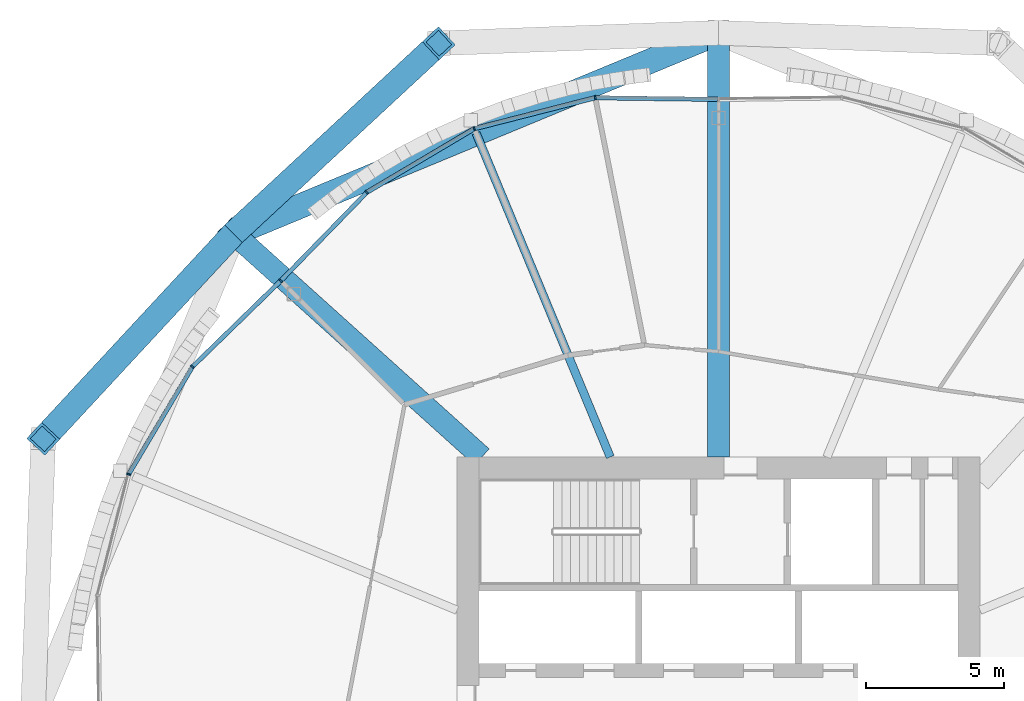
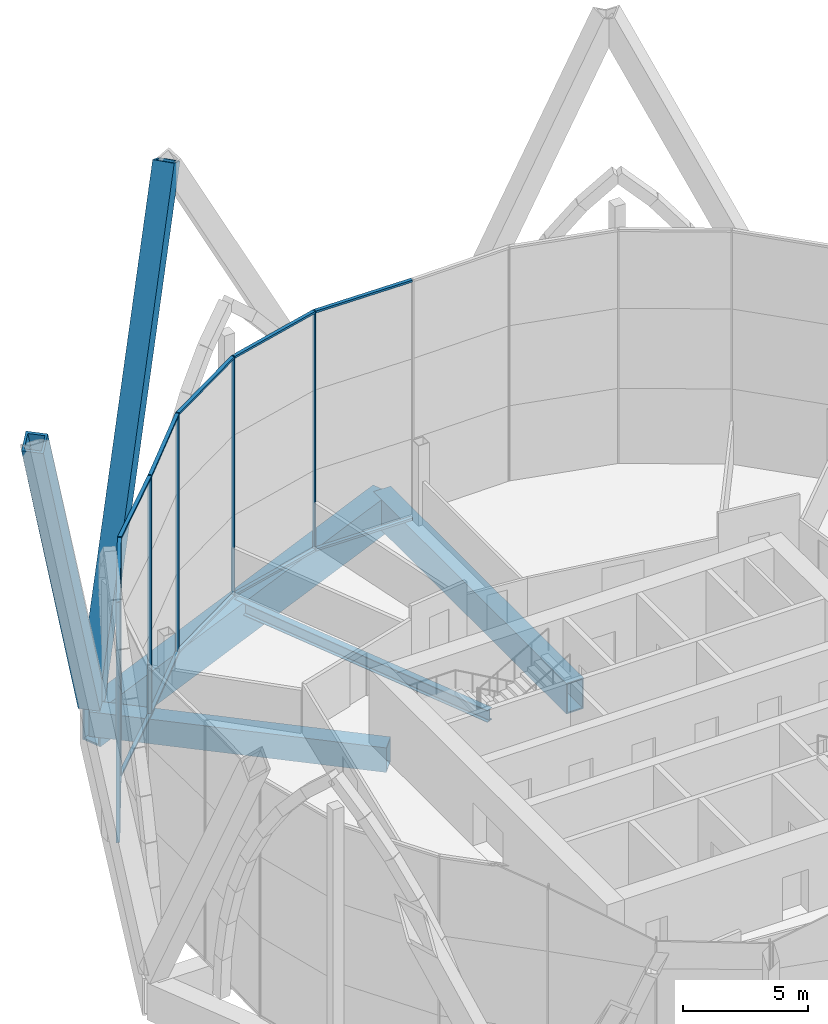
# One storey, part 10 of 37: 20 members, 4 beams, 2 elements without a shape of their own.
"""IFC4 building model written with IfcOpenShell, lengths in metres."""

from ifc_helpers import new_model, si_unit, direction, frame, origin, origin_2d, place, context, subcontext, project, spatial, rectangle, hollow_rectangle, i_section, extrude, material, material_profile, profile_set, type_object, element, aggregate, save


model = new_model("IFC4")

# Units and contexts
model_context = context("Model", 3, precision=1e-05, world=origin(), true_north=direction((0.0, 1.0)))
body_context = subcontext(model_context, "Body", "Model", "MODEL_VIEW")
ifc_project = project(units=[si_unit("LENGTHUNIT", "METRE"), si_unit("AREAUNIT", "SQUARE_METRE"), si_unit("VOLUMEUNIT", "CUBIC_METRE"), si_unit("PLANEANGLEUNIT", "RADIAN"), si_unit("MASSUNIT", "GRAM", prefix="KILO")], contexts=[model_context])

# Site, building, storey
site_placement = place(None, origin())
site = spatial("IfcSite", under=ifc_project, at=site_placement, CompositionType="ELEMENT")
building_placement = place(site_placement, origin())
building = spatial("IfcBuilding", under=site, at=building_placement, Name="Ogive Gate Towers", CompositionType="ELEMENT")
storey_placement = place(building_placement, frame((0.0, 0.0, 32.39990234375)))
storey = spatial("IfcBuildingStorey", under=building, at=storey_placement, Name="L06", CompositionType="ELEMENT", Elevation=32.39990234375)

# Members
ifc_material_1 = material(Name="Steel SM460", Category="steel")
ifc_material_profile_1 = material_profile(ifc_material_1, hollow_rectangle(XDim=0.89990234375, YDim=0.89990234375, WallThickness=0.10009765625, at=origin_2d()), Name="BX 900x900x100")
ifc_profile_set_1 = profile_set([ifc_material_profile_1], Name="Steel SM460")
member_type_1 = type_object("IfcMemberType", Name="Diagrid diagonal BX 900x900x100", PredefinedType="BRACE", material=ifc_profile_set_1)
for number, where, z_axis, x_axis, name in (
    (1, (-53.614013671875, 17.614013671875, 0.0), (0.338942066201, 0.31444089886, 0.886704684144), (-0.68011301839, 0.733107278791, 0.0), "T1/L06/SDG007"),
    (2, (-53.614013671875, 17.614013671875, 0.0), (-0.31444089886, -0.338942066201, 0.886704684144), (0.733107278791, -0.68011301839, 0.0), "T1/L06/SDG008"),
):
    element("IfcMember", number, at=place(storey_placement, frame(where, z_axis=z_axis, x_axis=x_axis)), inside=storey, type_object=member_type_1, Name=name, PredefinedType="BRACE", context=body_context, shape_type="SweptSolid", body=[
        extrude(hollow_rectangle(XDim=0.89990234375, YDim=0.89990234375, WallThickness=0.10009765625, at=origin_2d()), origin(), (0.0, 0.0, 1.0), 21.991455078125),
    ])

# Beams
ifc_material_profile_2 = material_profile(ifc_material_1, hollow_rectangle(XDim=0.89990234375, YDim=1.800048828125, WallThickness=0.080078125, at=origin_2d()), Name="BX 1800x900x80")
ifc_profile_set_2 = profile_set([ifc_material_profile_2], Name="Steel SM460")
beam_type_1 = type_object("IfcBeamType", Name="Edge girder BX 1800x900x80", PredefinedType="BEAM", material=ifc_profile_set_2)
beam_1_placement = place(storey_placement, frame((-36.0, 24.909912109375, -1.199951171875), z_axis=(-0.923880736283, -0.382680526191, 0.0), x_axis=(0.382680526191, -0.923880736283, 0.0)))
element("IfcBeam", 3, at=beam_1_placement, inside=storey, type_object=beam_type_1, Name="T1/L06/SBM022", PredefinedType="BEAM", context=body_context, shape_type="SweptSolid", body=[
    extrude(hollow_rectangle(XDim=0.89990234375, YDim=1.800048828125, WallThickness=0.080078125, at=origin_2d()), origin(), (0.0, 0.0, 1.0), 19.065185546875),
])
ifc_material_2 = material(Name="Steel SM355", Category="steel")
ifc_material_profile_3 = material_profile(ifc_material_2, i_section(OverallWidth=0.300048828125, OverallDepth=0.590087890625, WebThickness=0.012939453125, FlangeThickness=0.02490234375, FilletRadius=0.027099609375, at=origin_2d()), Name="HE 600 A")
ifc_profile_set_3 = profile_set([ifc_material_profile_3], Name="Steel SM355")
beam_type_2 = type_object("IfcBeamType", Name="Radial floor beam HE 600 A", PredefinedType="BEAM", material=ifc_profile_set_3)
beam_2_placement = place(storey_placement, frame((-39.93505859375, 9.5, -0.594970703125), z_axis=(-0.382690523214, 0.923876595354, 0.0), x_axis=(-0.923876595354, -0.382690523214, 0.0)))
element("IfcBeam", 4, at=beam_2_placement, inside=storey, type_object=beam_type_2, Name="T1/L06/SBM012", PredefinedType="BEAM", context=body_context, shape_type="SweptSolid", body=[
    extrude(i_section(OverallWidth=0.300048828125, OverallDepth=0.590087890625, WebThickness=0.012939453125, FlangeThickness=0.02490234375, FilletRadius=0.027099609375, at=origin_2d()), origin(), (0.0, 0.0, 1.0), 12.731201171875),
])

# Curtain wall, members
ifc_material_3 = material(Name="Pale metal aluminium", Category="aluminium")
curtain_wall_type = type_object("IfcCurtainWallType", Name="Tower unitised wall, low zone", PredefinedType="NOTDEFINED", material=ifc_material_3)
curtain_wall_1_placement = place(storey_placement, origin())
curtain_wall_1 = element("IfcCurtainWall", 5, at=curtain_wall_1_placement, inside=storey, type_object=curtain_wall_type, Name="CW1 T1 ECW03", PredefinedType="NOTDEFINED")
ifc_material_profile_4 = material_profile(ifc_material_3, rectangle(XDim=0.159912109375, YDim=0.06005859375, at=origin_2d()), Name="60 x 160 aluminium box")
ifc_profile_set_4 = profile_set([ifc_material_profile_4], Name="Pale metal aluminium")
member_type_2 = type_object("IfcMemberType", Name="Tower unitised wall, low zone mullion 60 x 160", PredefinedType="MULLION", material=ifc_profile_set_4)
member_1_placement = place(storey_placement, frame((-40.47900390625, 22.550048828125, -0.2998046875), z_axis=(0.0, 0.0, 1.0), x_axis=(-0.118247992189, 0.992984094708, 0.0)))
member_1 = element("IfcMember", 6, at=member_1_placement, type_object=member_type_2, Name="CW1 mullion", PredefinedType="MULLION", context=body_context, shape_type="SweptSolid", body=[
    extrude(rectangle(XDim=0.159912109375, YDim=0.06005859375, at=origin_2d()), origin(), (0.0, 0.0, 1.0), 11.699951171875),
])
member_2_placement = place(storey_placement, frame((-44.874755859375, 21.42578125, -0.2998046875), z_axis=(0.0, 0.0, 1.0), x_axis=(-0.382683432365, 0.923879532511, 0.0)))
member_2 = element("IfcMember", 7, at=member_2_placement, type_object=member_type_2, Name="CW1 mullion", PredefinedType="MULLION", context=body_context, shape_type="SweptSolid", body=[
    extrude(rectangle(XDim=0.159912109375, YDim=0.06005859375, at=origin_2d()), origin(), (0.0, 0.0, 1.0), 11.699951171875),
])
member_3_placement = place(storey_placement, frame((-48.778076171875, 19.112548828125, -0.2998046875), z_axis=(0.0, 0.0, 1.0), x_axis=(-0.61853182984, 0.785759744117, 0.0)))
member_3 = element("IfcMember", 8, at=member_3_placement, type_object=member_type_2, Name="CW1 mullion", PredefinedType="MULLION", context=body_context, shape_type="SweptSolid", body=[
    extrude(rectangle(XDim=0.159912109375, YDim=0.06005859375, at=origin_2d()), origin(), (0.0, 0.0, 1.0), 11.699951171875),
])
member_4_placement = place(storey_placement, frame((-51.902587890625, 15.903076171875, -0.2998046875), z_axis=(0.0, 0.0, 1.0), x_axis=(-0.716496775349, 0.697590403399, 0.0)))
member_4 = element("IfcMember", 9, at=member_4_placement, type_object=member_type_2, Name="CW1 mullion", PredefinedType="MULLION", context=body_context, shape_type="SweptSolid", body=[
    extrude(rectangle(XDim=0.159912109375, YDim=0.06005859375, at=origin_2d()), origin(), (0.0, 0.0, 1.0), 11.699951171875),
])

curtain_wall_2_placement = place(storey_placement, origin())
curtain_wall_2 = element("IfcCurtainWall", 10, at=curtain_wall_2_placement, inside=storey, type_object=curtain_wall_type, Name="CW1 T1 ECW04", PredefinedType="NOTDEFINED")
member_5_placement = place(storey_placement, frame((-55.112548828125, 12.778076171875, -0.2998046875), z_axis=(0.0, 0.0, 1.0), x_axis=(-0.785759744117, 0.61853182984, 0.0)))
member_5 = element("IfcMember", 11, at=member_5_placement, type_object=member_type_2, Name="CW1 mullion", PredefinedType="MULLION", context=body_context, shape_type="SweptSolid", body=[
    extrude(rectangle(XDim=0.159912109375, YDim=0.06005859375, at=origin_2d()), origin(), (0.0, 0.0, 1.0), 11.699951171875),
])
member_6_placement = place(storey_placement, frame((-57.42578125, 8.874755859375, -0.2998046875), z_axis=(0.0, 0.0, 1.0), x_axis=(-0.923879532511, 0.382683432365, 0.0)))
member_6 = element("IfcMember", 12, at=member_6_placement, type_object=member_type_2, Name="CW1 mullion", PredefinedType="MULLION", context=body_context, shape_type="SweptSolid", body=[
    extrude(rectangle(XDim=0.159912109375, YDim=0.06005859375, at=origin_2d()), origin(), (0.0, 0.0, 1.0), 11.699951171875),
])

# Member
ifc_material_profile_5 = material_profile(ifc_material_3, rectangle(XDim=0.159912109375, YDim=0.10009765625, at=origin_2d()), Name="100 x 160 aluminium box")
ifc_profile_set_5 = profile_set([ifc_material_profile_5], Name="Pale metal aluminium")
member_type_3 = type_object("IfcMemberType", Name="Tower unitised wall, low zone transom 100 x 160", PredefinedType="USERDEFINED", material=ifc_profile_set_5)
member_7_placement = place(storey_placement, frame((-36.0302734375, 22.490478515625, 11.35009765625), z_axis=(-0.99991072997, 0.013361590097, 0.0), x_axis=(-0.013361590097, -0.99991072997, 0.0)))
member_7 = element("IfcMember", 13, at=member_7_placement, type_object=member_type_3, Name="CW1 transom", ObjectType="TRANSOM", PredefinedType="USERDEFINED", context=body_context, shape_type="SweptSolid", body=[
    extrude(rectangle(XDim=0.159912109375, YDim=0.10009765625, at=origin_2d()), origin(), (0.0, 0.0, 1.0), 4.421875),
])

member_8_placement = place(storey_placement, frame((-36.0302734375, 22.490478515625, -0.25), z_axis=(-0.99991072997, 0.013361590097, 0.0), x_axis=(-0.013361590097, -0.99991072997, 0.0)))
member_8 = element("IfcMember", 14, at=member_8_placement, type_object=member_type_3, Name="CW1 transom", ObjectType="TRANSOM", PredefinedType="USERDEFINED", context=body_context, shape_type="SweptSolid", body=[
    extrude(rectangle(XDim=0.159912109375, YDim=0.10009765625, at=origin_2d()), origin(), (0.0, 0.0, 1.0), 4.421875),
])

member_9_placement = place(storey_placement, frame((-40.505615234375, 22.543212890625, 11.35009765625), z_axis=(-0.968808178302, -0.24781185132, 0.0), x_axis=(0.24781185132, -0.968808178302, 0.0)))
member_9 = element("IfcMember", 15, at=member_9_placement, type_object=member_type_3, Name="CW1 transom", ObjectType="TRANSOM", PredefinedType="USERDEFINED", context=body_context, shape_type="SweptSolid", body=[
    extrude(rectangle(XDim=0.159912109375, YDim=0.10009765625, at=origin_2d()), origin(), (0.0, 0.0, 1.0), 4.482666015625),
])

member_10_placement = place(storey_placement, frame((-40.505615234375, 22.543212890625, -0.25), z_axis=(-0.968808178302, -0.24781185132, 0.0), x_axis=(0.24781185132, -0.968808178302, 0.0)))
member_10 = element("IfcMember", 16, at=member_10_placement, type_object=member_type_3, Name="CW1 transom", ObjectType="TRANSOM", PredefinedType="USERDEFINED", context=body_context, shape_type="SweptSolid", body=[
    extrude(rectangle(XDim=0.159912109375, YDim=0.10009765625, at=origin_2d()), origin(), (0.0, 0.0, 1.0), 4.482666015625),
])

member_11_placement = place(storey_placement, frame((-44.898193359375, 21.41162109375, 11.35009765625), z_axis=(-0.860267645697, -0.509842699042, 0.0), x_axis=(0.509842699042, -0.860267645697, 0.0)))
member_11 = element("IfcMember", 17, at=member_11_placement, type_object=member_type_3, Name="CW1 transom", ObjectType="TRANSOM", PredefinedType="USERDEFINED", context=body_context, shape_type="SweptSolid", body=[
    extrude(rectangle(XDim=0.159912109375, YDim=0.10009765625, at=origin_2d()), origin(), (0.0, 0.0, 1.0), 4.482666015625),
])

member_12_placement = place(storey_placement, frame((-44.898193359375, 21.41162109375, -0.25), z_axis=(-0.860267645697, -0.509842699042, 0.0), x_axis=(0.509842699042, -0.860267645697, 0.0)))
member_12 = element("IfcMember", 18, at=member_12_placement, type_object=member_type_3, Name="CW1 transom", ObjectType="TRANSOM", PredefinedType="USERDEFINED", context=body_context, shape_type="SweptSolid", body=[
    extrude(rectangle(XDim=0.159912109375, YDim=0.10009765625, at=origin_2d()), origin(), (0.0, 0.0, 1.0), 4.482666015625),
])

member_13_placement = place(storey_placement, frame((-48.797119140625, 19.0927734375, 11.35009765625), z_axis=(-0.697574167313, -0.716512582651, 0.0), x_axis=(0.716512582651, -0.697574167313, 0.0)))
member_13 = element("IfcMember", 19, at=member_13_placement, type_object=member_type_3, Name="CW1 transom", ObjectType="TRANSOM", PredefinedType="USERDEFINED", context=body_context, shape_type="SweptSolid", body=[
    extrude(rectangle(XDim=0.159912109375, YDim=0.10009765625, at=origin_2d()), origin(), (0.0, 0.0, 1.0), 4.421630859375),
])

member_14_placement = place(storey_placement, frame((-48.797119140625, 19.0927734375, -0.25), z_axis=(-0.697574167313, -0.716512582651, 0.0), x_axis=(0.716512582651, -0.697574167313, 0.0)))
member_14 = element("IfcMember", 20, at=member_14_placement, type_object=member_type_3, Name="CW1 transom", ObjectType="TRANSOM", PredefinedType="USERDEFINED", context=body_context, shape_type="SweptSolid", body=[
    extrude(rectangle(XDim=0.159912109375, YDim=0.10009765625, at=origin_2d()), origin(), (0.0, 0.0, 1.0), 4.421630859375),
])

aggregate(curtain_wall_1, [member_1, member_7, member_8, member_2, member_9, member_10, member_3, member_11, member_12, member_4, member_13, member_14])

member_15_placement = place(storey_placement, frame((-51.924560546875, 15.881591796875, 11.35009765625), z_axis=(-0.716512582651, -0.697574167313, 0.0), x_axis=(0.697574167313, -0.716512582651, 0.0)))
member_15 = element("IfcMember", 21, at=member_15_placement, type_object=member_type_3, Name="CW1 transom", ObjectType="TRANSOM", PredefinedType="USERDEFINED", context=body_context, shape_type="SweptSolid", body=[
    extrude(rectangle(XDim=0.159912109375, YDim=0.10009765625, at=origin_2d()), origin(), (0.0, 0.0, 1.0), 4.421630859375),
])

member_16_placement = place(storey_placement, frame((-51.924560546875, 15.881591796875, -0.25), z_axis=(-0.716512582651, -0.697574167313, 0.0), x_axis=(0.697574167313, -0.716512582651, 0.0)))
member_16 = element("IfcMember", 22, at=member_16_placement, type_object=member_type_3, Name="CW1 transom", ObjectType="TRANSOM", PredefinedType="USERDEFINED", context=body_context, shape_type="SweptSolid", body=[
    extrude(rectangle(XDim=0.159912109375, YDim=0.10009765625, at=origin_2d()), origin(), (0.0, 0.0, 1.0), 4.421630859375),
])

member_17_placement = place(storey_placement, frame((-55.126220703125, 12.75439453125, 11.35009765625), z_axis=(-0.509842699042, -0.860267645697, 0.0), x_axis=(0.860267645697, -0.509842699042, 0.0)))
member_17 = element("IfcMember", 23, at=member_17_placement, type_object=member_type_3, Name="CW1 transom", ObjectType="TRANSOM", PredefinedType="USERDEFINED", context=body_context, shape_type="SweptSolid", body=[
    extrude(rectangle(XDim=0.159912109375, YDim=0.10009765625, at=origin_2d()), origin(), (0.0, 0.0, 1.0), 4.482666015625),
])

member_18_placement = place(storey_placement, frame((-55.126220703125, 12.75439453125, -0.25), z_axis=(-0.509842699042, -0.860267645697, 0.0), x_axis=(0.860267645697, -0.509842699042, 0.0)))
member_18 = element("IfcMember", 24, at=member_18_placement, type_object=member_type_3, Name="CW1 transom", ObjectType="TRANSOM", PredefinedType="USERDEFINED", context=body_context, shape_type="SweptSolid", body=[
    extrude(rectangle(XDim=0.159912109375, YDim=0.10009765625, at=origin_2d()), origin(), (0.0, 0.0, 1.0), 4.482666015625),
])

aggregate(curtain_wall_2, [member_5, member_15, member_16, member_6, member_17, member_18])

# Beams
ifc_material_profile_6 = material_profile(ifc_material_1, hollow_rectangle(XDim=0.800048828125, YDim=1.199951171875, WallThickness=0.050048828125, at=origin_2d()), Name="BX 1200x800x50")
ifc_profile_set_6 = profile_set([ifc_material_profile_6], Name="Steel SM460")
beam_type_3 = type_object("IfcBeamType", Name="Transfer radial beam BX 1200x800x50", PredefinedType="BEAM", material=ifc_profile_set_6)
beam_3_placement = place(storey_placement, frame((-44.60009765625, 9.5, -0.89990234375), z_axis=(-0.743233084761, 0.669032571491, 0.0), x_axis=(-0.669032571491, -0.743233084761, 0.0)))
element("IfcBeam", 25, at=beam_3_placement, inside=storey, type_object=beam_type_3, Name="T1/L06/SBM013", PredefinedType="BEAM", context=body_context, shape_type="SweptSolid", body=[
    extrude(hollow_rectangle(XDim=0.800048828125, YDim=1.199951171875, WallThickness=0.050048828125, at=origin_2d()), origin(), (0.0, 0.0, 1.0), 12.1279296875),
])
ifc_material_profile_7 = material_profile(ifc_material_1, hollow_rectangle(XDim=0.800048828125, YDim=1.5, WallThickness=0.06005859375, at=origin_2d()), Name="BX 1500x800x60")
ifc_profile_set_7 = profile_set([ifc_material_profile_7], Name="Steel SM460")
beam_type_4 = type_object("IfcBeamType", Name="Transfer radial beam BX 1500x800x60", PredefinedType="BEAM", material=ifc_profile_set_7)
beam_4_placement = place(storey_placement, frame((-36.0, 9.5, -1.0498046875), z_axis=(0.0, 1.0, 0.0), x_axis=(-1.0, 0.0, 0.0)))
element("IfcBeam", 26, at=beam_4_placement, inside=storey, type_object=beam_type_4, Name="T1/L06/SBM011", PredefinedType="BEAM", context=body_context, shape_type="SweptSolid", body=[
    extrude(hollow_rectangle(XDim=0.800048828125, YDim=1.5, WallThickness=0.06005859375, at=origin_2d()), origin(), (0.0, 0.0, 1.0), 15.409912109375),
])

save(model, "model.ifc")
